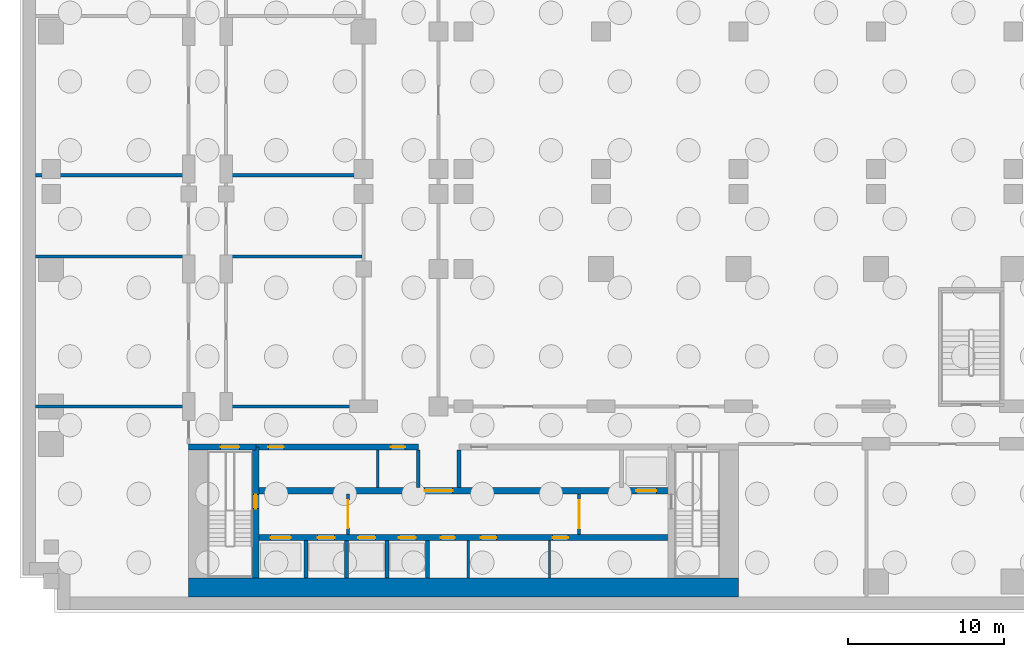
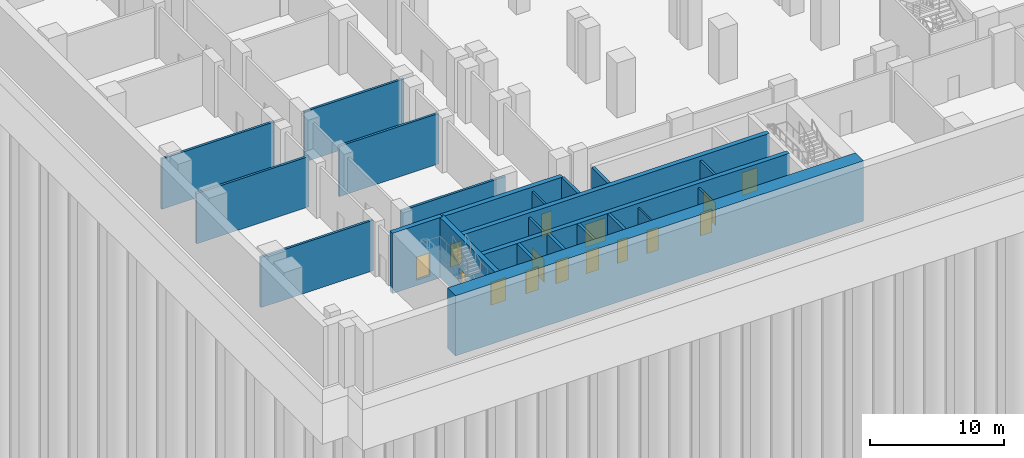
# One storey, part 3 of 14: 23 walls, 15 doors, 15 openings.
"""IFC4 building model written with IfcOpenShell, lengths in metres."""

from ifc_helpers import new_model, si_unit, direction, frame, frame_2d, origin, place, context, subcontext, project, spatial, rectangle, extrude, material, layer, layer_set, type_object, element, fill, save


model = new_model("IFC4")

# Units and contexts
model_context = context("Model", 3, precision=1e-05, world=origin(), true_north=direction((0.0, 1.0)))
body_context = subcontext(model_context, "Body", "Model", "MODEL_VIEW")
ifc_project = project(units=[si_unit("LENGTHUNIT", "METRE"), si_unit("AREAUNIT", "SQUARE_METRE"), si_unit("VOLUMEUNIT", "CUBIC_METRE"), si_unit("PLANEANGLEUNIT", "RADIAN"), si_unit("MASSUNIT", "GRAM", prefix="KILO")], contexts=[model_context])

# Site, building, storey
site_placement = place(None, origin())
site = spatial("IfcSite", under=ifc_project, at=site_placement, CompositionType="ELEMENT")
building_placement = place(site_placement, origin())
building = spatial("IfcBuilding", under=site, at=building_placement, Name="Kemantara Hotel Tower", CompositionType="ELEMENT")
storey_placement = place(building_placement, frame((0.0, 0.0, -17.0)))
storey = spatial("IfcBuildingStorey", under=building, at=storey_placement, Name="B3", CompositionType="ELEMENT", Elevation=-17.0)

# Walls
ifc_material_1 = material(Name="Concrete fc 70 MPa", Category="concrete")
ifc_layer_1 = layer(ifc_material_1, 1.199951171875)
ifc_layer_set_1 = layer_set([ifc_layer_1], Name="Concrete fc 70 MPa")
wall_type_1 = type_object("IfcWallType", Name="CORE WALL 1200 FC70", PredefinedType="SHEAR", material=ifc_layer_set_1)
wall_1_placement = place(storey_placement, frame((9.800048828125, 0.60009765625, -0.5), z_axis=(0.0, 0.0, 1.0), x_axis=(1.0, 0.0, 0.0)))
element("IfcWall", 1, at=wall_1_placement, inside=storey, type_object=wall_type_1, Name="CORE WALL CW-S", PredefinedType="SHEAR", context=body_context, shape_type="SweptSolid", body=[
    extrude(rectangle(XDim=35.199951171875, YDim=1.199951171875, at=frame_2d((17.60009765625, 0.0))), origin(), (0.0, 0.0, 1.0), 5.5),
])
ifc_layer_2 = layer(ifc_material_1, 0.25)
ifc_layer_set_2 = layer_set([ifc_layer_2], Name="Concrete fc 70 MPa")
wall_type_2 = type_object("IfcWallType", Name="CORE WALL 250 FC70", PredefinedType="SHEAR", material=ifc_layer_set_2)
for number, where, z_axis, x_axis, name in (
    (2, (17.300048828125, 1.199951171875, -0.5), (0.0, 0.0, 1.0), (0.0, 1.0, 0.0), "CORE WALL CW-DS17.3"),
    (3, (19.89990234375, 1.199951171875, -0.5), (0.0, 0.0, 1.0), (0.0, 1.0, 0.0), "CORE WALL CW-DS19.9"),
    (4, (22.5, 1.199951171875, -0.5), (0.0, 0.0, 1.0), (0.0, 1.0, 0.0), "CORE WALL CW-DS22.5"),
    (5, (25.10009765625, 1.199951171875, -0.5), (0.0, 0.0, 1.0), (0.0, 1.0, 0.0), "CORE WALL CW-DS25.1"),
):
    element("IfcWall", number, at=place(storey_placement, frame(where, z_axis=z_axis, x_axis=x_axis)), inside=storey, type_object=wall_type_2, Name=name, PredefinedType="SHEAR", context=body_context, shape_type="SweptSolid", body=[
        extrude(rectangle(XDim=2.400146484375, YDim=0.25, at=frame_2d((1.2001953125, 0.0))), origin(), (0.0, 0.0, 1.0), 5.5),
    ])
for number, where, z_axis, x_axis, name in (
    (6, (24.5, 7.0, -0.5), (0.0, 0.0, 1.0), (0.0, 1.0, 0.0), "CORE WALL CW-DN24.5"),
    (7, (27.10009765625, 7.0, -0.5), (0.0, 0.0, 1.0), (0.0, 1.0, 0.0), "CORE WALL CW-DN27.1"),
):
    element("IfcWall", number, at=place(storey_placement, frame(where, z_axis=z_axis, x_axis=x_axis)), inside=storey, type_object=wall_type_2, Name=name, PredefinedType="SHEAR", context=body_context, shape_type="SweptSolid", body=[
        extrude(rectangle(XDim=2.39990234375, YDim=0.25, at=frame_2d((1.199951171875, 0.0))), origin(), (0.0, 0.0, 1.0), 5.5),
    ])

# Wall, opening, door
ifc_layer_3 = layer(ifc_material_1, 0.39990234375)
ifc_layer_set_3 = layer_set([ifc_layer_3], Name="Concrete fc 70 MPa")
wall_type_3 = type_object("IfcWallType", Name="CORE WALL 400 FC70", PredefinedType="SHEAR", material=ifc_layer_set_3)
wall_2_placement = place(storey_placement, frame((9.800048828125, 9.60009765625, -0.5), z_axis=(0.0, 0.0, 1.0), x_axis=(1.0, 0.0, 0.0)))
wall_2 = element("IfcWall", 8, at=wall_2_placement, inside=storey, type_object=wall_type_3, Name="CORE WALL CW-N1", PredefinedType="SHEAR", context=body_context, shape_type="SweptSolid", body=[
    extrude(rectangle(XDim=4.300048828125, YDim=0.39990234375, at=frame_2d((2.14990234375, 0.0))), origin(), (0.0, 0.0, 1.0), 5.5),
])
opening_1_placement = place(wall_2_placement, frame((2.050048828125, 0.0, 0.5)))
opening_1 = element("IfcOpeningElement", 9, at=opening_1_placement, cuts=wall_2, Name="Opening C00-ST1-C", PredefinedType="OPENING", context=body_context, shape_type="SweptSolid", body=[
    extrude(rectangle(XDim=1.199951171875, YDim=2.10009765625, at=frame_2d((0.60009765625, 1.050048828125))), frame((0.0, 0.2099609375, 0.0), z_axis=(0.0, -1.0, 0.0), x_axis=(1.0, 0.0, 0.0)), (0.0, 0.0, 1.0), 0.419921875),
])
ifc_material_2 = material(Name="Steel fire door", Category="steel")
door_type_1 = type_object("IfcDoorType", Name="Fire door FD90 1200 x 2100", OperationType="NOTDEFINED", PredefinedType="DOOR", material=ifc_material_2)
door_1_placement = place(opening_1_placement, frame((1.199951171875, 0.0, 0.0), z_axis=(0.0, 0.0, 1.0), x_axis=(-1.0, 0.0, 0.0)))
door_1 = element("IfcDoor", 10, at=door_1_placement, inside=storey, type_object=door_type_1, Name="Stair ST1 door to corridor", OperationType="SINGLE_SWING_LEFT", OverallHeight=2.10009765625, OverallWidth=1.199951171875, PredefinedType="DOOR", context=body_context, shape_type="SweptSolid", body=[
    extrude(rectangle(XDim=1.199951171875, YDim=2.10009765625, at=frame_2d((0.60009765625, 1.050048828125))), frame((0.0, 0.02490234375, 0.0), z_axis=(0.0, -1.0, 0.0), x_axis=(1.0, 0.0, 0.0)), (0.0, 0.0, 1.0), 0.050048828125),
])
fill(opening_1, door_1)

# Wall, openings, doors
wall_3_placement = place(storey_placement, frame((14.10009765625, 9.60009765625, -0.5), z_axis=(0.0, 0.0, 1.0), x_axis=(1.0, 0.0, 0.0)))
wall_3 = element("IfcWall", 11, at=wall_3_placement, inside=storey, type_object=wall_type_3, Name="CORE WALL CW-NN1", PredefinedType="SHEAR", context=body_context, shape_type="SweptSolid", body=[
    extrude(rectangle(XDim=10.39990234375, YDim=0.39990234375, at=frame_2d((5.199951171875, 0.0))), origin(), (0.0, 0.0, 1.0), 5.5),
])
opening_2_placement = place(wall_3_placement, frame((0.800048828125, 0.0, 0.5)))
opening_2 = element("IfcOpeningElement", 12, at=opening_2_placement, cuts=wall_3, Name="Opening C00-R-NW1", PredefinedType="OPENING", context=body_context, shape_type="SweptSolid", body=[
    extrude(rectangle(XDim=1.0, YDim=2.10009765625, at=frame_2d((0.5, 1.050048828125))), frame((0.0, 0.2099609375, 0.0), z_axis=(0.0, -1.0, 0.0), x_axis=(1.0, 0.0, 0.0)), (0.0, 0.0, 1.0), 0.419921875),
])
opening_3_placement = place(wall_3_placement, frame((8.64990234375, 0.0, 0.5)))
opening_3 = element("IfcOpeningElement", 13, at=opening_3_placement, cuts=wall_3, Name="Opening C00-R-NW2", PredefinedType="OPENING", context=body_context, shape_type="SweptSolid", body=[
    extrude(rectangle(XDim=0.89990234375, YDim=2.10009765625, at=frame_2d((0.449951171875, 1.050048828125))), frame((0.0, 0.2099609375, 0.0), z_axis=(0.0, -1.0, 0.0), x_axis=(1.0, 0.0, 0.0)), (0.0, 0.0, 1.0), 0.419921875),
])
door_type_2 = type_object("IfcDoorType", Name="Fire door FD60 1000 x 2100", OperationType="NOTDEFINED", PredefinedType="DOOR", material=ifc_material_2)
door_2_placement = place(opening_2_placement, frame((1.0, 0.0, 0.0), z_axis=(0.0, 0.0, 1.0), x_axis=(-1.0, 0.0, 0.0)))
door_2 = element("IfcDoor", 14, at=door_2_placement, inside=storey, type_object=door_type_2, Name="Water Tank Room door", OperationType="SINGLE_SWING_RIGHT", OverallHeight=2.10009765625, OverallWidth=1.0, PredefinedType="DOOR", context=body_context, shape_type="SweptSolid", body=[
    extrude(rectangle(XDim=1.0, YDim=2.10009765625, at=frame_2d((0.5, 1.050048828125))), frame((0.0, 0.02490234375, 0.0), z_axis=(0.0, -1.0, 0.0), x_axis=(1.0, 0.0, 0.0)), (0.0, 0.0, 1.0), 0.050048828125),
])
fill(opening_2, door_2)
door_type_3 = type_object("IfcDoorType", Name="Fire door FD60 900 x 2100", OperationType="NOTDEFINED", PredefinedType="DOOR", material=ifc_material_2)
door_3_placement = place(opening_3_placement, frame((0.89990234375, 0.0, 0.0), z_axis=(0.0, 0.0, 1.0), x_axis=(-1.0, 0.0, 0.0)))
door_3 = element("IfcDoor", 15, at=door_3_placement, inside=storey, type_object=door_type_3, Name="Comms Equipment Room door", OperationType="SINGLE_SWING_LEFT", OverallHeight=2.10009765625, OverallWidth=0.89990234375, PredefinedType="DOOR", context=body_context, shape_type="SweptSolid", body=[
    extrude(rectangle(XDim=0.89990234375, YDim=2.10009765625, at=frame_2d((0.449951171875, 1.050048828125))), frame((0.0, 0.02490234375, 0.0), z_axis=(0.0, -1.0, 0.0), x_axis=(1.0, 0.0, 0.0)), (0.0, 0.0, 1.0), 0.050048828125),
])
fill(opening_3, door_3)

wall_4_placement = place(storey_placement, frame((14.10009765625, 3.800048828125, -0.5), z_axis=(0.0, 0.0, 1.0), x_axis=(1.0, 0.0, 0.0)))
wall_4 = element("IfcWall", 16, at=wall_4_placement, inside=storey, type_object=wall_type_3, Name="CORE WALL CW-L1", PredefinedType="SHEAR", context=body_context, shape_type="SweptSolid", body=[
    extrude(rectangle(XDim=26.599853515625, YDim=0.39990234375, at=frame_2d((13.2998046875, 0.0))), origin(), (0.0, 0.0, 1.0), 5.5),
])
opening_4_placement = place(wall_4_placement, frame((0.949951171875, 0.0, 0.5)))
opening_4 = element("IfcOpeningElement", 17, at=opening_4_placement, cuts=wall_4, Name="Opening C00-LD-FF1", PredefinedType="OPENING", context=body_context, shape_type="SweptSolid", body=[
    extrude(rectangle(XDim=1.300048828125, YDim=2.10009765625, at=frame_2d((0.64990234375, 1.050048828125))), frame((0.0, 0.2099609375, 0.0), z_axis=(0.0, -1.0, 0.0), x_axis=(1.0, 0.0, 0.0)), (0.0, 0.0, 1.0), 0.419921875),
])
opening_5_placement = place(wall_4_placement, frame((3.949951171875, 0.0, 0.5)))
opening_5 = element("IfcOpeningElement", 18, at=opening_5_placement, cuts=wall_4, Name="Opening C00-LD-SV1", PredefinedType="OPENING", context=body_context, shape_type="SweptSolid", body=[
    extrude(rectangle(XDim=1.10009765625, YDim=2.10009765625, at=frame_2d((0.550048828125, 1.050048828125))), frame((0.0, 0.2099609375, 0.0), z_axis=(0.0, -1.0, 0.0), x_axis=(1.0, 0.0, 0.0)), (0.0, 0.0, 1.0), 0.419921875),
])
opening_6_placement = place(wall_4_placement, frame((6.550048828125, 0.0, 0.5)))
opening_6 = element("IfcOpeningElement", 19, at=opening_6_placement, cuts=wall_4, Name="Opening C00-LD-SV2", PredefinedType="OPENING", context=body_context, shape_type="SweptSolid", body=[
    extrude(rectangle(XDim=1.10009765625, YDim=2.10009765625, at=frame_2d((0.550048828125, 1.050048828125))), frame((0.0, 0.2099609375, 0.0), z_axis=(0.0, -1.0, 0.0), x_axis=(1.0, 0.0, 0.0)), (0.0, 0.0, 1.0), 0.419921875),
])
opening_7_placement = place(wall_4_placement, frame((9.14990234375, 0.0, 0.5)))
opening_7 = element("IfcOpeningElement", 20, at=opening_7_placement, cuts=wall_4, Name="Opening C00-LD-SV3", PredefinedType="OPENING", context=body_context, shape_type="SweptSolid", body=[
    extrude(rectangle(XDim=1.10009765625, YDim=2.10009765625, at=frame_2d((0.550048828125, 1.050048828125))), frame((0.0, 0.2099609375, 0.0), z_axis=(0.0, -1.0, 0.0), x_axis=(1.0, 0.0, 0.0)), (0.0, 0.0, 1.0), 0.419921875),
])
opening_8_placement = place(wall_4_placement, frame((11.85009765625, 0.0, 0.5)))
opening_8 = element("IfcOpeningElement", 21, at=opening_8_placement, cuts=wall_4, Name="Opening C00-R-SM1", PredefinedType="OPENING", context=body_context, shape_type="SweptSolid", body=[
    extrude(rectangle(XDim=0.89990234375, YDim=2.10009765625, at=frame_2d((0.449951171875, 1.050048828125))), frame((0.0, 0.2099609375, 0.0), z_axis=(0.0, -1.0, 0.0), x_axis=(1.0, 0.0, 0.0)), (0.0, 0.0, 1.0), 0.419921875),
])
opening_9_placement = place(wall_4_placement, frame((14.39990234375, 0.0, 0.5)))
opening_9 = element("IfcOpeningElement", 22, at=opening_9_placement, cuts=wall_4, Name="Opening C00-R-SM2", PredefinedType="OPENING", context=body_context, shape_type="SweptSolid", body=[
    extrude(rectangle(XDim=1.0, YDim=2.10009765625, at=frame_2d((0.5, 1.050048828125))), frame((0.0, 0.2099609375, 0.0), z_axis=(0.0, -1.0, 0.0), x_axis=(1.0, 0.0, 0.0)), (0.0, 0.0, 1.0), 0.419921875),
])
opening_10_placement = place(wall_4_placement, frame((19.0, 0.0, 0.5)))
opening_10 = element("IfcOpeningElement", 23, at=opening_10_placement, cuts=wall_4, Name="Opening C00-R-SM3", PredefinedType="OPENING", context=body_context, shape_type="SweptSolid", body=[
    extrude(rectangle(XDim=1.0, YDim=2.10009765625, at=frame_2d((0.5, 1.050048828125))), frame((0.0, 0.2099609375, 0.0), z_axis=(0.0, -1.0, 0.0), x_axis=(1.0, 0.0, 0.0)), (0.0, 0.0, 1.0), 0.419921875),
])
door_type_4 = type_object("IfcDoorType", Name="Fire door FD30S 1000 x 2100", OperationType="NOTDEFINED", PredefinedType="DOOR", material=ifc_material_2)
door_4_placement = place(opening_9_placement, frame((1.0, 0.0, 0.0), z_axis=(0.0, 0.0, 1.0), x_axis=(-1.0, 0.0, 0.0)))
door_4 = element("IfcDoor", 24, at=door_4_placement, inside=storey, type_object=door_type_4, Name="Waste Store door", OperationType="SINGLE_SWING_LEFT", OverallHeight=2.10009765625, OverallWidth=1.0, PredefinedType="DOOR", context=body_context, shape_type="SweptSolid", body=[
    extrude(rectangle(XDim=1.0, YDim=2.10009765625, at=frame_2d((0.5, 1.050048828125))), frame((0.0, 0.02490234375, 0.0), z_axis=(0.0, -1.0, 0.0), x_axis=(1.0, 0.0, 0.0)), (0.0, 0.0, 1.0), 0.050048828125),
])
fill(opening_9, door_4)
door_5_placement = place(opening_10_placement, frame((1.0, 0.0, 0.0), z_axis=(0.0, 0.0, 1.0), x_axis=(-1.0, 0.0, 0.0)))
door_5 = element("IfcDoor", 25, at=door_5_placement, inside=storey, type_object=door_type_2, Name="Fire Pump Room door", OperationType="SINGLE_SWING_LEFT", OverallHeight=2.10009765625, OverallWidth=1.0, PredefinedType="DOOR", context=body_context, shape_type="SweptSolid", body=[
    extrude(rectangle(XDim=1.0, YDim=2.10009765625, at=frame_2d((0.5, 1.050048828125))), frame((0.0, 0.02490234375, 0.0), z_axis=(0.0, -1.0, 0.0), x_axis=(1.0, 0.0, 0.0)), (0.0, 0.0, 1.0), 0.050048828125),
])
fill(opening_10, door_5)
door_6_placement = place(opening_8_placement, frame((0.89990234375, 0.0, 0.0), z_axis=(0.0, 0.0, 1.0), x_axis=(-1.0, 0.0, 0.0)))
door_6 = element("IfcDoor", 26, at=door_6_placement, inside=storey, type_object=door_type_3, Name="Electrical Riser Room door", OperationType="SINGLE_SWING_RIGHT", OverallHeight=2.10009765625, OverallWidth=0.89990234375, PredefinedType="DOOR", context=body_context, shape_type="SweptSolid", body=[
    extrude(rectangle(XDim=0.89990234375, YDim=2.10009765625, at=frame_2d((0.449951171875, 1.050048828125))), frame((0.0, 0.02490234375, 0.0), z_axis=(0.0, -1.0, 0.0), x_axis=(1.0, 0.0, 0.0)), (0.0, 0.0, 1.0), 0.050048828125),
])
fill(opening_8, door_6)
ifc_material_3 = material(Name="Stainless steel lift door", Category="steel")
door_type_5 = type_object("IfcDoorType", Name="Lift landing door 1100 x 2100 FD60", OperationType="DOUBLE_DOOR_SLIDING", PredefinedType="DOOR", material=ifc_material_3)
door_7_placement = place(opening_5_placement, origin())
door_7 = element("IfcDoor", 27, at=door_7_placement, inside=storey, type_object=door_type_5, Name="Lift SV1 landing door", OperationType="DOUBLE_DOOR_SLIDING", OverallHeight=2.10009765625, OverallWidth=1.10009765625, PredefinedType="DOOR", context=body_context, shape_type="SweptSolid", body=[
    extrude(rectangle(XDim=1.10009765625, YDim=2.10009765625, at=frame_2d((0.550048828125, 1.050048828125))), frame((0.0, 0.02490234375, 0.0), z_axis=(0.0, -1.0, 0.0), x_axis=(1.0, 0.0, 0.0)), (0.0, 0.0, 1.0), 0.050048828125),
])
fill(opening_5, door_7)
door_8_placement = place(opening_6_placement, origin())
door_8 = element("IfcDoor", 28, at=door_8_placement, inside=storey, type_object=door_type_5, Name="Lift SV2 landing door", OperationType="DOUBLE_DOOR_SLIDING", OverallHeight=2.10009765625, OverallWidth=1.10009765625, PredefinedType="DOOR", context=body_context, shape_type="SweptSolid", body=[
    extrude(rectangle(XDim=1.10009765625, YDim=2.10009765625, at=frame_2d((0.550048828125, 1.050048828125))), frame((0.0, 0.02490234375, 0.0), z_axis=(0.0, -1.0, 0.0), x_axis=(1.0, 0.0, 0.0)), (0.0, 0.0, 1.0), 0.050048828125),
])
fill(opening_6, door_8)
door_9_placement = place(opening_7_placement, origin())
door_9 = element("IfcDoor", 29, at=door_9_placement, inside=storey, type_object=door_type_5, Name="Lift SV3 landing door", OperationType="DOUBLE_DOOR_SLIDING", OverallHeight=2.10009765625, OverallWidth=1.10009765625, PredefinedType="DOOR", context=body_context, shape_type="SweptSolid", body=[
    extrude(rectangle(XDim=1.10009765625, YDim=2.10009765625, at=frame_2d((0.550048828125, 1.050048828125))), frame((0.0, 0.02490234375, 0.0), z_axis=(0.0, -1.0, 0.0), x_axis=(1.0, 0.0, 0.0)), (0.0, 0.0, 1.0), 0.050048828125),
])
fill(opening_7, door_9)
door_type_6 = type_object("IfcDoorType", Name="Lift landing door 1300 x 2100 FD90", OperationType="DOUBLE_DOOR_SLIDING", PredefinedType="DOOR", material=ifc_material_3)
door_10_placement = place(opening_4_placement, origin())
door_10 = element("IfcDoor", 30, at=door_10_placement, inside=storey, type_object=door_type_6, Name="Lift FF1 landing door", OperationType="DOUBLE_DOOR_SLIDING", OverallHeight=2.10009765625, OverallWidth=1.300048828125, PredefinedType="DOOR", context=body_context, shape_type="SweptSolid", body=[
    extrude(rectangle(XDim=1.300048828125, YDim=2.10009765625, at=frame_2d((0.64990234375, 1.050048828125))), frame((0.0, 0.02490234375, 0.0), z_axis=(0.0, -1.0, 0.0), x_axis=(1.0, 0.0, 0.0)), (0.0, 0.0, 1.0), 0.050048828125),
])
fill(opening_4, door_10)

wall_5_placement = place(storey_placement, frame((14.10009765625, 6.800048828125, -0.5), z_axis=(0.0, 0.0, 1.0), x_axis=(1.0, 0.0, 0.0)))
wall_5 = element("IfcWall", 31, at=wall_5_placement, inside=storey, type_object=wall_type_3, Name="CORE WALL CW-L2", PredefinedType="SHEAR", context=body_context, shape_type="SweptSolid", body=[
    extrude(rectangle(XDim=26.599853515625, YDim=0.39990234375, at=frame_2d((13.2998046875, 0.0))), origin(), (0.0, 0.0, 1.0), 5.5),
])
opening_11_placement = place(wall_5_placement, frame((10.800048828125, 0.0, 0.5)))
opening_11 = element("IfcOpeningElement", 32, at=opening_11_placement, cuts=wall_5, Name="Opening C00-VL", PredefinedType="OPENING", context=body_context, shape_type="SweptSolid", body=[
    extrude(rectangle(XDim=1.800048828125, YDim=2.10009765625, at=frame_2d((0.89990234375, 1.050048828125))), frame((0.0, 0.2099609375, 0.0), z_axis=(0.0, -1.0, 0.0), x_axis=(1.0, 0.0, 0.0)), (0.0, 0.0, 1.0), 0.419921875),
])
opening_12_placement = place(wall_5_placement, frame((24.35009765625, 0.0, 0.5)))
opening_12 = element("IfcOpeningElement", 33, at=opening_12_placement, cuts=wall_5, Name="Opening C00-LD-FF2", PredefinedType="OPENING", context=body_context, shape_type="SweptSolid", body=[
    extrude(rectangle(XDim=1.300048828125, YDim=2.10009765625, at=frame_2d((0.64990234375, 1.050048828125))), frame((0.0, 0.2099609375, 0.0), z_axis=(0.0, -1.0, 0.0), x_axis=(1.0, 0.0, 0.0)), (0.0, 0.0, 1.0), 0.419921875),
])
door_type_7 = type_object("IfcDoorType", Name="Fire door pair FD60 1800 x 2100", OperationType="DOUBLE_DOOR_SINGLE_SWING", PredefinedType="DOOR", material=ifc_material_2)
door_11_placement = place(opening_11_placement, frame((1.800048828125, 0.0, 0.0), z_axis=(0.0, 0.0, 1.0), x_axis=(-1.0, 0.0, 0.0)))
door_11 = element("IfcDoor", 34, at=door_11_placement, inside=storey, type_object=door_type_7, Name="Lift lobby entry door", OperationType="DOUBLE_DOOR_SINGLE_SWING", OverallHeight=2.10009765625, OverallWidth=1.800048828125, PredefinedType="DOOR", context=body_context, shape_type="SweptSolid", body=[
    extrude(rectangle(XDim=1.800048828125, YDim=2.10009765625, at=frame_2d((0.89990234375, 1.050048828125))), frame((0.0, 0.02490234375, 0.0), z_axis=(0.0, -1.0, 0.0), x_axis=(1.0, 0.0, 0.0)), (0.0, 0.0, 1.0), 0.050048828125),
])
fill(opening_11, door_11)
door_12_placement = place(opening_12_placement, origin())
door_12 = element("IfcDoor", 35, at=door_12_placement, inside=storey, type_object=door_type_6, Name="Lift FF2 landing door", OperationType="DOUBLE_DOOR_SLIDING", OverallHeight=2.10009765625, OverallWidth=1.300048828125, PredefinedType="DOOR", context=body_context, shape_type="SweptSolid", body=[
    extrude(rectangle(XDim=1.300048828125, YDim=2.10009765625, at=frame_2d((0.64990234375, 1.050048828125))), frame((0.0, 0.02490234375, 0.0), z_axis=(0.0, -1.0, 0.0), x_axis=(1.0, 0.0, 0.0)), (0.0, 0.0, 1.0), 0.050048828125),
])
fill(opening_12, door_12)

# Wall, opening, door
wall_6_placement = place(storey_placement, frame((14.10009765625, 1.199951171875, -0.5), z_axis=(0.0, 0.0, 1.0), x_axis=(0.0, 1.0, 0.0)))
wall_6 = element("IfcWall", 36, at=wall_6_placement, inside=storey, type_object=wall_type_3, Name="CORE WALL CW-ST1E", PredefinedType="SHEAR", context=body_context, shape_type="SweptSolid", body=[
    extrude(rectangle(XDim=8.400146484375, YDim=0.39990234375, at=frame_2d((4.2001953125, 0.0))), origin(), (0.0, 0.0, 1.0), 5.5),
])
opening_13_placement = place(wall_6_placement, frame((4.449951171875, 0.0, 0.5)))
opening_13 = element("IfcOpeningElement", 37, at=opening_13_placement, cuts=wall_6, Name="Opening C00-ST1-F", PredefinedType="OPENING", context=body_context, shape_type="SweptSolid", body=[
    extrude(rectangle(XDim=0.89990234375, YDim=2.10009765625, at=frame_2d((0.449951171875, 1.050048828125))), frame((0.0, 0.2099609375, 0.0), z_axis=(0.0, -1.0, 0.0), x_axis=(1.0, 0.0, 0.0)), (0.0, 0.0, 1.0), 0.419921875),
])
door_type_8 = type_object("IfcDoorType", Name="Fire door FD90 900 x 2100", OperationType="NOTDEFINED", PredefinedType="DOOR", material=ifc_material_2)
door_13_placement = place(opening_13_placement, origin())
door_13 = element("IfcDoor", 38, at=door_13_placement, inside=storey, type_object=door_type_8, Name="Stair ST1 door to firefighting lobby", OperationType="SINGLE_SWING_RIGHT", OverallHeight=2.10009765625, OverallWidth=0.89990234375, PredefinedType="DOOR", context=body_context, shape_type="SweptSolid", body=[
    extrude(rectangle(XDim=0.89990234375, YDim=2.10009765625, at=frame_2d((0.449951171875, 1.050048828125))), frame((0.0, 0.02490234375, 0.0), z_axis=(0.0, -1.0, 0.0), x_axis=(1.0, 0.0, 0.0)), (0.0, 0.0, 1.0), 0.050048828125),
])
fill(opening_13, door_13)

# Walls
ifc_material_4 = material(Name="Clay brick masonry", Category="masonry")
ifc_layer_4 = layer(ifc_material_4, 0.199951171875)
ifc_layer_set_4 = layer_set([ifc_layer_4], Name="Clay brick masonry")
wall_type_4 = type_object("IfcWallType", Name="FIRE-RATED CLAY BRICK WALL 200 EI 120", PredefinedType="PARTITIONING", material=ifc_layer_set_4)
for number, where, z_axis, x_axis, name in (
    (39, (0.0, 12.199951171875, 0.0), (0.0, 0.0, 1.0), (1.0, 0.0, 0.0), "FIRE WALL"),
    (40, (0.0, 21.800048828125, 0.0), (0.0, 0.0, 1.0), (1.0, 0.0, 0.0), "FIRE WALL"),
):
    element("IfcWall", number, at=place(storey_placement, frame(where, z_axis=z_axis, x_axis=x_axis)), inside=storey, type_object=wall_type_4, Name=name, PredefinedType="PARTITIONING", context=body_context, shape_type="SweptSolid", body=[
        extrude(rectangle(XDim=9.699951171875, YDim=0.199951171875, at=frame_2d((4.85009765625, 0.0))), origin(), (0.0, 0.0, 1.0), 4.60009765625),
    ])
wall_7_placement = place(storey_placement, frame((12.300048828125, 21.800048828125, 0.0), z_axis=(0.0, 0.0, 1.0), x_axis=(1.0, 0.0, 0.0)))
element("IfcWall", 41, at=wall_7_placement, inside=storey, type_object=wall_type_4, Name="FIRE WALL", PredefinedType="PARTITIONING", context=body_context, shape_type="SweptSolid", body=[
    extrude(rectangle(XDim=8.599853515625, YDim=0.199951171875, at=frame_2d((4.2998046875, 0.0))), origin(), (0.0, 0.0, 1.0), 4.60009765625),
])
wall_8_placement = place(storey_placement, frame((0.0, 27.0, 0.0), z_axis=(0.0, 0.0, 1.0), x_axis=(1.0, 0.0, 0.0)))
element("IfcWall", 42, at=wall_8_placement, inside=storey, type_object=wall_type_4, Name="FIRE WALL", PredefinedType="PARTITIONING", context=body_context, shape_type="SweptSolid", body=[
    extrude(rectangle(XDim=9.699951171875, YDim=0.199951171875, at=frame_2d((4.85009765625, 0.0))), origin(), (0.0, 0.0, 1.0), 4.60009765625),
])
wall_9_placement = place(storey_placement, frame((12.300048828125, 27.0, 0.0), z_axis=(0.0, 0.0, 1.0), x_axis=(1.0, 0.0, 0.0)))
element("IfcWall", 43, at=wall_9_placement, inside=storey, type_object=wall_type_4, Name="FIRE WALL", PredefinedType="PARTITIONING", context=body_context, shape_type="SweptSolid", body=[
    extrude(rectangle(XDim=8.599853515625, YDim=0.199951171875, at=frame_2d((4.2998046875, 0.0))), origin(), (0.0, 0.0, 1.0), 4.60009765625),
])
ifc_material_5 = material(Name="Fire-rated gypsum board partition")
ifc_layer_5 = layer(ifc_material_5, 0.199951171875)
ifc_layer_set_5 = layer_set([ifc_layer_5], Name="Fire-rated gypsum board partition")
wall_type_5 = type_object("IfcWallType", Name="FIRE-RATED GYPSUM PARTITION 200 EI 60", PredefinedType="PARTITIONING", material=ifc_layer_set_5)
wall_10_placement = place(storey_placement, frame((12.10009765625, 12.199951171875, 0.0), z_axis=(0.0, 0.0, 1.0), x_axis=(1.0, 0.0, 0.0)))
element("IfcWall", 44, at=wall_10_placement, inside=storey, type_object=wall_type_5, Name="FIRE-RATED PARTITION", PredefinedType="PARTITIONING", context=body_context, shape_type="SweptSolid", body=[
    extrude(rectangle(XDim=9.0, YDim=0.199951171875, at=frame_2d((4.5, 0.0))), origin(), (0.0, 0.0, 1.0), 4.60009765625),
])
ifc_material_6 = material(Name="Gypsum board partition")
ifc_layer_6 = layer(ifc_material_6, 0.14990234375)
ifc_layer_set_6 = layer_set([ifc_layer_6], Name="Gypsum board partition")
wall_type_6 = type_object("IfcWallType", Name="Gypsum board partition 150 mm", PredefinedType="PARTITIONING", material=ifc_layer_set_6)
wall_11_placement = place(storey_placement, frame((21.89990234375, 7.0, 0.0), z_axis=(0.0, 0.0, 1.0), x_axis=(0.0, 1.0, 0.0)))
element("IfcWall", 45, at=wall_11_placement, inside=storey, type_object=wall_type_6, Name="Core room partition", PredefinedType="PARTITIONING", context=body_context, shape_type="SweptSolid", body=[
    extrude(rectangle(XDim=2.39990234375, YDim=0.14990234375, at=frame_2d((1.199951171875, 0.0))), origin(), (0.0, 0.0, 1.0), 4.60009765625),
])
for number, where, z_axis, x_axis, name in (
    (46, (27.699951171875, 1.199951171875, 0.0), (0.0, 0.0, 1.0), (0.0, 1.0, 0.0), "Core room partition"),
    (47, (32.89990234375, 1.199951171875, 0.0), (0.0, 0.0, 1.0), (0.0, 1.0, 0.0), "Core room partition"),
):
    element("IfcWall", number, at=place(storey_placement, frame(where, z_axis=z_axis, x_axis=x_axis)), inside=storey, type_object=wall_type_6, Name=name, PredefinedType="PARTITIONING", context=body_context, shape_type="SweptSolid", body=[
        extrude(rectangle(XDim=2.400146484375, YDim=0.14990234375, at=frame_2d((1.2001953125, 0.0))), origin(), (0.0, 0.0, 1.0), 4.60009765625),
    ])

# Wall, opening, door
ifc_material_7 = material(Name="Gypsum board shaft wall")
ifc_layer_7 = layer(ifc_material_7, 0.199951171875)
ifc_layer_set_7 = layer_set([ifc_layer_7], Name="Gypsum board shaft wall")
wall_type_7 = type_object("IfcWallType", Name="Gypsum board shaft wall 200 mm", PredefinedType="PARTITIONING", material=ifc_layer_set_7)
wall_12_placement = place(storey_placement, frame((20.0, 4.0, 0.0), z_axis=(0.0, 0.0, 1.0), x_axis=(0.0, 1.0, 0.0)))
wall_12 = element("IfcWall", 48, at=wall_12_placement, inside=storey, type_object=wall_type_7, Name="Firefighting lobby partition west", PredefinedType="PARTITIONING", context=body_context, shape_type="SweptSolid", body=[
    extrude(rectangle(XDim=2.60009765625, YDim=0.199951171875, at=frame_2d((1.300048828125, 0.0))), origin(), (0.0, 0.0, 1.0), 4.60009765625),
])
opening_14_placement = place(wall_12_placement, frame((0.39990234375, 0.0, 0.0)))
opening_14 = element("IfcOpeningElement", 49, at=opening_14_placement, cuts=wall_12, Name="Opening C00-FFW", PredefinedType="OPENING", context=body_context, shape_type="SweptSolid", body=[
    extrude(rectangle(XDim=1.800048828125, YDim=2.10009765625, at=frame_2d((0.89990234375, 1.050048828125))), frame((0.0, 0.10986328125, 0.0), z_axis=(0.0, -1.0, 0.0), x_axis=(1.0, 0.0, 0.0)), (0.0, 0.0, 1.0), 0.219970703125),
])
door_14_placement = place(opening_14_placement, origin())
door_14 = element("IfcDoor", 50, at=door_14_placement, inside=storey, type_object=door_type_7, Name="Firefighting lobby door west", OperationType="DOUBLE_DOOR_SINGLE_SWING", OverallHeight=2.10009765625, OverallWidth=1.800048828125, PredefinedType="DOOR", context=body_context, shape_type="SweptSolid", body=[
    extrude(rectangle(XDim=1.800048828125, YDim=2.10009765625, at=frame_2d((0.89990234375, 1.050048828125))), frame((0.0, 0.02490234375, 0.0), z_axis=(0.0, -1.0, 0.0), x_axis=(1.0, 0.0, 0.0)), (0.0, 0.0, 1.0), 0.050048828125),
])
fill(opening_14, door_14)

wall_13_placement = place(storey_placement, frame((34.800048828125, 4.0, 0.0), z_axis=(0.0, 0.0, 1.0), x_axis=(0.0, 1.0, 0.0)))
wall_13 = element("IfcWall", 51, at=wall_13_placement, inside=storey, type_object=wall_type_7, Name="Firefighting lobby partition east", PredefinedType="PARTITIONING", context=body_context, shape_type="SweptSolid", body=[
    extrude(rectangle(XDim=2.60009765625, YDim=0.199951171875, at=frame_2d((1.300048828125, 0.0))), origin(), (0.0, 0.0, 1.0), 4.60009765625),
])
opening_15_placement = place(wall_13_placement, frame((0.39990234375, 0.0, 0.0)))
opening_15 = element("IfcOpeningElement", 52, at=opening_15_placement, cuts=wall_13, Name="Opening C00-FFE", PredefinedType="OPENING", context=body_context, shape_type="SweptSolid", body=[
    extrude(rectangle(XDim=1.800048828125, YDim=2.10009765625, at=frame_2d((0.89990234375, 1.050048828125))), frame((0.0, 0.10986328125, 0.0), z_axis=(0.0, -1.0, 0.0), x_axis=(1.0, 0.0, 0.0)), (0.0, 0.0, 1.0), 0.219970703125),
])
door_15_placement = place(opening_15_placement, frame((1.800048828125, 0.0, 0.0), z_axis=(0.0, 0.0, 1.0), x_axis=(-1.0, 0.0, 0.0)))
door_15 = element("IfcDoor", 53, at=door_15_placement, inside=storey, type_object=door_type_7, Name="Firefighting lobby door east", OperationType="DOUBLE_DOOR_SINGLE_SWING", OverallHeight=2.10009765625, OverallWidth=1.800048828125, PredefinedType="DOOR", context=body_context, shape_type="SweptSolid", body=[
    extrude(rectangle(XDim=1.800048828125, YDim=2.10009765625, at=frame_2d((0.89990234375, 1.050048828125))), frame((0.0, 0.02490234375, 0.0), z_axis=(0.0, -1.0, 0.0), x_axis=(1.0, 0.0, 0.0)), (0.0, 0.0, 1.0), 0.050048828125),
])
fill(opening_15, door_15)

save(model, "model.ifc")
